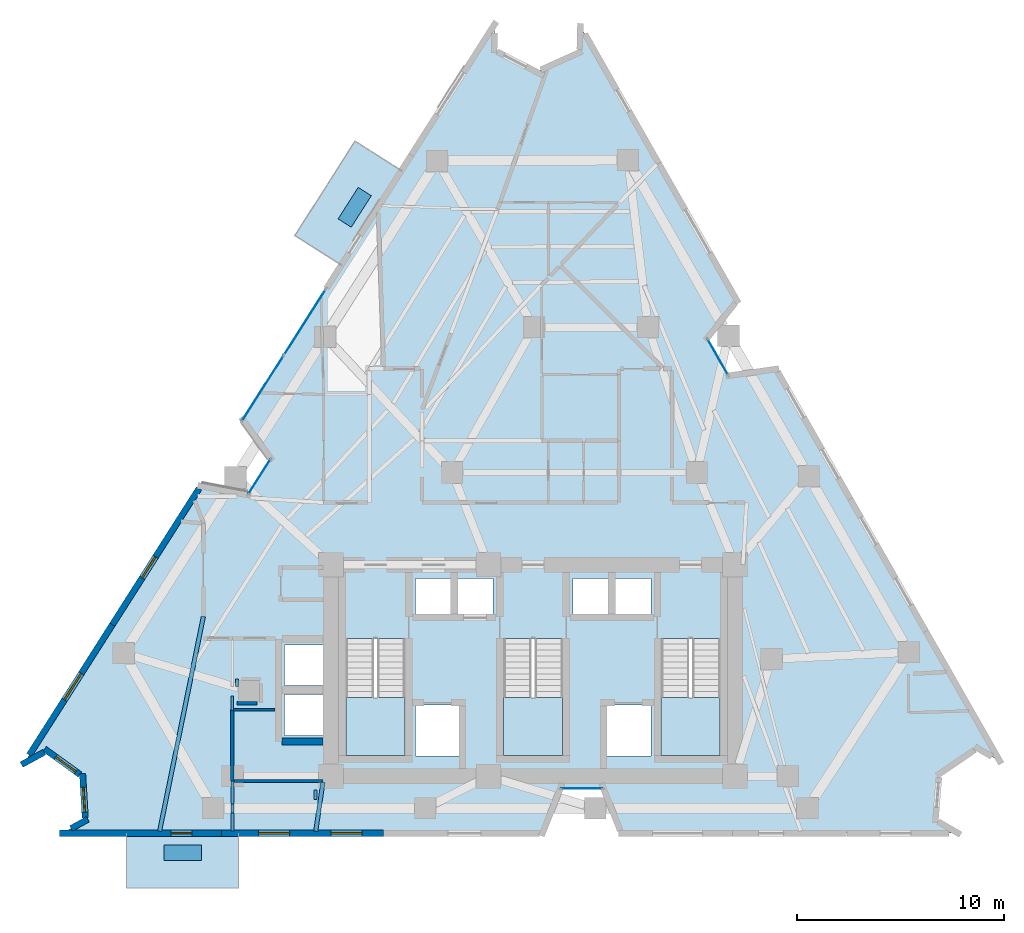
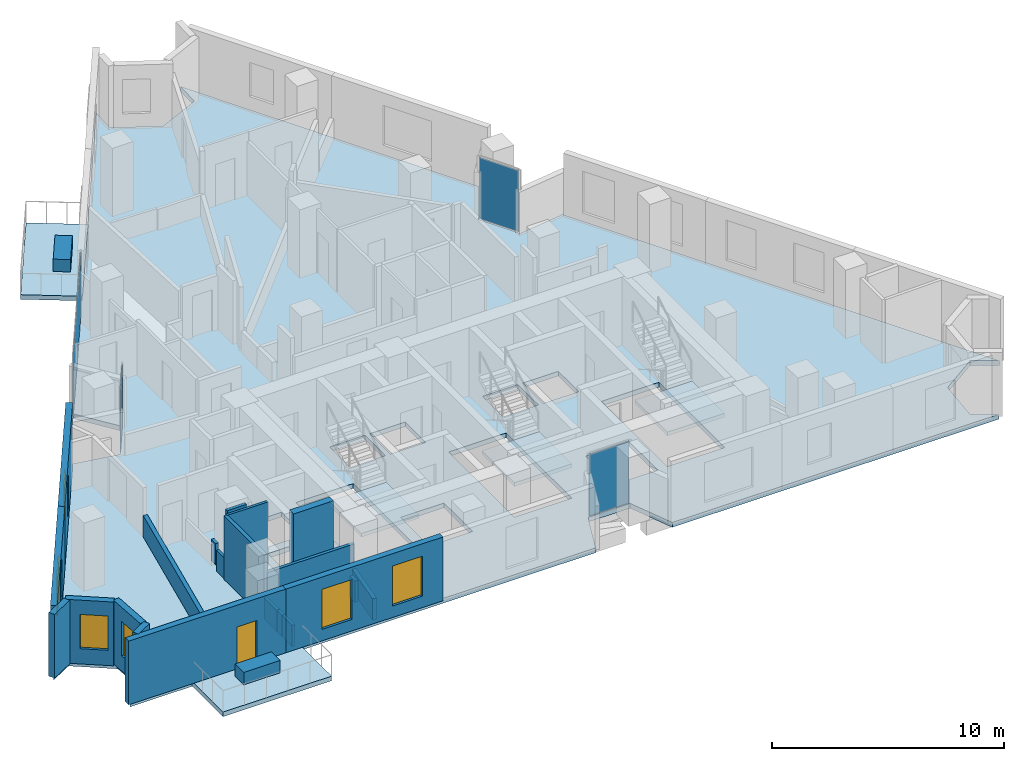
# One storey, part 5 of 11: 21 walls, 7 plates, 6 slabs, 6 windows, 1 door, 7 openings, 7 elements without a shape of their own.
"""IFC4 building model written with IfcOpenShell, lengths in metres."""

from ifc_helpers import new_model, si_unit, direction, frame, frame_2d, origin, origin_2d, place, context, subcontext, project, spatial, polyline, rectangle, outline, extrude, material, layer, layer_set, type_object, element, fill, aggregate, save


model = new_model("IFC4")

# Units and contexts
model_context = context("Model", 3, precision=1e-05, world=origin(), true_north=direction((0.0, 1.0)))
body_context = subcontext(model_context, "Body", "Model", "MODEL_VIEW")
ifc_project = project(units=[si_unit("LENGTHUNIT", "METRE"), si_unit("AREAUNIT", "SQUARE_METRE"), si_unit("VOLUMEUNIT", "CUBIC_METRE"), si_unit("PLANEANGLEUNIT", "RADIAN"), si_unit("MASSUNIT", "GRAM", prefix="KILO")], contexts=[model_context])

# Site, building, storey
site_placement = place(None, origin())
site = spatial("IfcSite", under=ifc_project, at=site_placement, CompositionType="ELEMENT")
building_placement = place(site_placement, origin())
building = spatial("IfcBuilding", under=site, at=building_placement, Name="Almagre Mirador Tower", CompositionType="ELEMENT")
storey_placement = place(building_placement, frame((0.0, 0.0, 150.0)))
storey = spatial("IfcBuildingStorey", under=building, at=storey_placement, Name="L38", CompositionType="ELEMENT", Elevation=150.0)

# Curtain wall, plate
ifc_material_1 = material(Name="Black anodized aluminium", Category="aluminium")
ifc_layer_1 = layer(ifc_material_1, 0.169921875)
ifc_layer_set_1 = layer_set([ifc_layer_1], Name="Black anodized aluminium")
curtain_wall_type_1 = type_object("IfcCurtainWallType", Name="CW-CRS-SYS", PredefinedType="NOTDEFINED", material=ifc_layer_set_1)
curtain_wall_1_placement = place(storey_placement, origin())
curtain_wall_1 = element("IfcCurtainWall", 1, at=curtain_wall_1_placement, inside=storey, type_object=curtain_wall_type_1, Name="L38 vertical crease curtain wall 01", PredefinedType="NOTDEFINED")
ifc_material_2 = material(Name="Dark solar-control laminated hurricane glass", Category="glass")
ifc_layer_2 = layer(ifc_material_2, 0.028076171875)
ifc_layer_set_2 = layer_set([ifc_layer_2], Name="Dark solar-control laminated hurricane glass")
plate_type_1 = type_object("IfcPlateType", Name="PLT-GLZ-28", PredefinedType="CURTAIN_PANEL", material=ifc_layer_set_2)
plate_1_placement = place(storey_placement, frame((24.097412109375, 18.992919921875, 0.06005859375), z_axis=(0.0, 0.0, 1.0), x_axis=(0.537463753664, 0.843286851254, 0.0)))
plate_1 = element("IfcPlate", 2, at=plate_1_placement, type_object=plate_type_1, Name="CW-4 panel 1.1", PredefinedType="CURTAIN_PANEL", context=body_context, shape_type="SweptSolid", body=[
    extrude(rectangle(XDim=1.969482421875, YDim=0.028076171875, at=origin_2d()), origin(), (0.0, 0.0, 1.0), 3.22998046875),
])
aggregate(curtain_wall_1, [plate_1])

curtain_wall_2_placement = place(storey_placement, origin())
curtain_wall_2 = element("IfcCurtainWall", 3, at=curtain_wall_2_placement, inside=storey, type_object=curtain_wall_type_1, Name="L38 vertical crease curtain wall 03", PredefinedType="NOTDEFINED")
plate_2_placement = place(storey_placement, frame((46.214111328125, 24.7705078125, 0.06005859375), z_axis=(0.0, 0.0, 1.0), x_axis=(0.495726635757, -0.868478613785, 0.0)))
plate_2 = element("IfcPlate", 4, at=plate_2_placement, type_object=plate_type_1, Name="CW-4 panel 1.1", PredefinedType="CURTAIN_PANEL", context=body_context, shape_type="SweptSolid", body=[
    extrude(rectangle(XDim=1.969970703125, YDim=0.028076171875, at=origin_2d()), origin(), (0.0, 0.0, 1.0), 3.22998046875),
])
aggregate(curtain_wall_2, [plate_2])

curtain_wall_3_placement = place(storey_placement, origin())
curtain_wall_3 = element("IfcCurtainWall", 5, at=curtain_wall_3_placement, inside=storey, type_object=curtain_wall_type_1, Name="L38 vertical crease curtain wall 04", PredefinedType="NOTDEFINED")
plate_3_placement = place(storey_placement, frame((39.656005859375, 3.949951171875, 0.06005859375), z_axis=(0.0, 0.0, 1.0), x_axis=(-1.0, 0.0, 0.0)))
plate_3 = element("IfcPlate", 6, at=plate_3_placement, type_object=plate_type_1, Name="CW-4 panel 1.1", PredefinedType="CURTAIN_PANEL", context=body_context, shape_type="SweptSolid", body=[
    extrude(rectangle(XDim=1.969970703125, YDim=0.028076171875, at=origin_2d()), origin(), (0.0, 0.0, 1.0), 3.22998046875),
])
aggregate(curtain_wall_3, [plate_3])

# Curtain wall, plates
ifc_material_3 = material(Name="Black anodized aluminium", Category="aluminium")
ifc_layer_3 = layer(ifc_material_3, 0.199951171875)
ifc_layer_set_3 = layer_set([ifc_layer_3], Name="Black anodized aluminium")
curtain_wall_type_2 = type_object("IfcCurtainWallType", Name="CW-RES-H-SYS", PredefinedType="NOTDEFINED", material=ifc_layer_set_3)
curtain_wall_4_placement = place(storey_placement, origin())
curtain_wall_4 = element("IfcCurtainWall", 7, at=curtain_wall_4_placement, inside=storey, type_object=curtain_wall_type_2, Name="L38 curtain wall run 02", PredefinedType="NOTDEFINED")
ifc_material_4 = material(Name="Dark solar-control laminated hurricane glass", Category="glass")
ifc_layer_4 = layer(ifc_material_4, 0.035888671875)
ifc_layer_set_4 = layer_set([ifc_layer_4], Name="Dark solar-control laminated hurricane glass")
plate_type_2 = type_object("IfcPlateType", Name="PLT-GLZ-36", PredefinedType="CURTAIN_PANEL", material=ifc_layer_set_4)
plate_4_placement = place(storey_placement, frame((24.26220703125, 23.2548828125, 0.06494140625), z_axis=(0.0, 0.0, 1.0), x_axis=(0.537115414157, 0.84350876218, 0.0)))
plate_4 = element("IfcPlate", 8, at=plate_4_placement, type_object=plate_type_2, Name="CW-3 panel 1.1", PredefinedType="CURTAIN_PANEL", context=body_context, shape_type="SweptSolid", body=[
    extrude(rectangle(XDim=3.71826171875, YDim=0.035888671875, at=origin_2d()), origin(), (0.0, 0.0, 1.0), 3.219970703125),
])
plate_5_placement = place(storey_placement, frame((26.29443359375, 26.4462890625, 0.06494140625), z_axis=(0.0, 0.0, 1.0), x_axis=(0.537115414157, 0.84350876218, 0.0)))
plate_5 = element("IfcPlate", 9, at=plate_5_placement, type_object=plate_type_2, Name="CW-3 panel 2.1", PredefinedType="CURTAIN_PANEL", context=body_context, shape_type="SweptSolid", body=[
    extrude(rectangle(XDim=3.71826171875, YDim=0.035888671875, at=origin_2d()), origin(), (0.0, 0.0, 1.0), 3.219970703125),
])
aggregate(curtain_wall_4, [plate_4, plate_5])

# Plates
ifc_material_5 = material(Name="Precast concrete C50/60", Category="concrete")
ifc_layer_5 = layer(ifc_material_5, 0.64990234375)
ifc_layer_set_5 = layer_set([ifc_layer_5], Name="Precast concrete C50/60")
plate_type_3 = type_object("IfcPlateType", Name="PLT-PLANTER-1800", PredefinedType="USERDEFINED", material=ifc_layer_set_5)
for number, where, z_axis, x_axis, name in (
    (10, (20.39990234375, 0.85009765625, 0.0), (0.0, 0.0, 1.0), (1.0, 0.0, 0.0), "L38 south balcony structural tree planter 1"),
    (11, (28.698974609375, 31.989990234375, 0.0), (0.0, 0.0, 1.0), (-0.537137678912, -0.843494584389, 0.0), "L38 west balcony structural tree planter 2"),
):
    element("IfcPlate", number, at=place(storey_placement, frame(where, z_axis=z_axis, x_axis=x_axis)), inside=storey, type_object=plate_type_3, Name=name, ObjectType="PLANTER", PredefinedType="USERDEFINED", context=body_context, shape_type="SweptSolid", body=[
        extrude(rectangle(XDim=1.800048828125, YDim=0.75, at=origin_2d()), origin(), (0.0, 0.0, 1.0), 0.64990234375),
    ])

# Slabs
ifc_material_6 = material(Name="Concrete C45/55", Category="concrete")
ifc_layer_6 = layer(ifc_material_6, 0.239990234375)
ifc_layer_set_6 = layer_set([ifc_layer_6], Name="Concrete C45/55")
slab_type_1 = type_object("IfcSlabType", Name="SLB-BAL-240", PredefinedType="USERDEFINED", material=ifc_layer_set_6)
slab_1_placement = place(storey_placement, frame((0.0, 0.0, -0.239990234375)))
element("IfcSlab", 12, at=slab_1_placement, inside=storey, type_object=slab_type_1, Name="L38 south planted tree balcony 1", ObjectType="BALCONY", PredefinedType="USERDEFINED", context=body_context, shape_type="SweptSolid", body=[
    extrude(outline(polyline([(17.699951171875, 1.820068359375), (23.10009765625, 1.820068359375), (23.10009765625, -0.85009765625), (17.699951171875, -0.85009765625), (17.699951171875, 1.820068359375)])), origin(), (0.0, 0.0, 1.0), 0.239990234375),
])
slab_2_placement = place(storey_placement, frame((0.0, 0.0, -0.239990234375)))
element("IfcSlab", 13, at=slab_2_placement, inside=storey, type_object=slab_type_1, Name="L38 west planted tree balcony 2", ObjectType="BALCONY", PredefinedType="USERDEFINED", context=body_context, shape_type="SweptSolid", body=[
    extrude(outline(polyline([(30.967041015625, 33.74609375), (28.06689453125, 29.19189453125), (25.81396484375, 30.6259765625), (28.715087890625, 35.180908203125), (30.967041015625, 33.74609375)])), origin(), (0.0, 0.0, 1.0), 0.239990234375),
])
ifc_material_7 = material(Name="Concrete C45/55", Category="concrete")
ifc_layer_7 = layer(ifc_material_7, 0.25)
ifc_layer_set_7 = layer_set([ifc_layer_7], Name="Concrete C45/55")
slab_type_2 = type_object("IfcSlabType", Name="SLB-FLR-250", PredefinedType="FLOOR", material=ifc_layer_set_7)
slab_3_placement = place(storey_placement, frame((0.0, 0.0, -0.25)))
element("IfcSlab", 14, at=slab_3_placement, inside=storey, type_object=slab_type_2, Name="L38 structural floor slab", PredefinedType="FLOOR", context=body_context, shape_type="SweptSolid", body=[
    extrude(outline(polyline([(12.7490234375, 5.174072265625), (13.85302734375, 5.780029296875), (15.580078125, 4.532958984375), (15.705078125, 2.406005859375), (14.60009765625, 1.800048828125), (37.756103515625, 1.800048828125), (38.611083984375, 3.949951171875), (40.700927734375, 3.949951171875), (41.555908203125, 1.800048828125), (57.800048828125, 1.800048828125), (56.7099609375, 2.43310546875), (56.887939453125, 4.652099609375), (58.72802734375, 5.906982421875), (59.81689453125, 5.27392578125), (49.02294921875, 24.18603515625), (46.73193359375, 23.863037109375), (45.696044921875, 25.677978515625), (47.138916015625, 27.486083984375), (39.5830078125, 40.72607421875), (39.552001953125, 39.466064453125), (37.462890625, 38.52197265625), (35.4208984375, 39.56591796875), (35.450927734375, 40.825927734375), (23.303955078125, 21.75), (24.658935546875, 19.8740234375), (23.535888671875, 18.112060546875), (21.262939453125, 18.544921875), (12.7490234375, 5.174072265625)]), holes=[polyline([(43.47509765625, 5.550048828125), (43.47509765625, 11.196044921875), (46.324951171875, 11.196044921875), (46.324951171875, 5.550048828125), (43.47509765625, 5.550048828125)]), polyline([(40.820068359375, 5.52001953125), (40.820068359375, 7.97998046875), (42.97998046875, 7.97998046875), (42.97998046875, 5.52001953125), (40.820068359375, 5.52001953125)]), polyline([(41.219970703125, 12.320068359375), (41.219970703125, 14.080078125), (42.97998046875, 14.080078125), (42.97998046875, 12.320068359375), (41.219970703125, 12.320068359375)]), polyline([(39.219970703125, 12.320068359375), (39.219970703125, 14.080078125), (40.97998046875, 14.080078125), (40.97998046875, 12.320068359375), (39.219970703125, 12.320068359375)]), polyline([(35.875, 11.196044921875), (38.72509765625, 11.196044921875), (38.72509765625, 5.550048828125), (35.875, 5.550048828125), (35.875, 11.196044921875)]), polyline([(35.3798828125, 12.320068359375), (33.6201171875, 12.320068359375), (33.6201171875, 14.080078125), (35.3798828125, 14.080078125), (35.3798828125, 12.320068359375)]), polyline([(33.780029296875, 5.52001953125), (31.6201171875, 5.52001953125), (31.6201171875, 7.97998046875), (33.780029296875, 7.97998046875), (33.780029296875, 5.52001953125)]), polyline([(31.6201171875, 12.320068359375), (31.6201171875, 14.080078125), (33.3798828125, 14.080078125), (33.3798828125, 12.320068359375), (31.6201171875, 12.320068359375)]), polyline([(28.27490234375, 5.550048828125), (28.27490234375, 11.196044921875), (31.125, 11.196044921875), (31.125, 5.550048828125), (28.27490234375, 5.550048828125)]), polyline([(25.320068359375, 8.919921875), (25.320068359375, 10.8798828125), (27.3798828125, 10.8798828125), (27.3798828125, 8.919921875), (25.320068359375, 8.919921875)]), polyline([(27.3798828125, 6.52001953125), (25.320068359375, 6.52001953125), (25.320068359375, 8.47998046875), (27.3798828125, 8.47998046875), (27.3798828125, 6.52001953125)])]), origin(), (0.0, 0.0, 1.0), 0.25),
])

# Stair, slab
ifc_material_8 = material(Name="Concrete C45/55", Category="concrete")
stair_type = type_object("IfcStairType", Name="STR-DL-3600", PredefinedType="HALF_TURN_STAIR", material=ifc_material_8)
stair_1_placement = place(storey_placement, origin())
stair_1 = element("IfcStair", 15, at=stair_1_placement, inside=storey, type_object=stair_type, Name="L38 Protected exit stair ST-1", PredefinedType="HALF_TURN_STAIR")
ifc_material_9 = material(Name="Concrete C45/55", Category="concrete")
ifc_layer_8 = layer(ifc_material_9, 0.199951171875)
ifc_layer_set_8 = layer_set([ifc_layer_8], Name="Concrete C45/55")
slab_type_3 = type_object("IfcSlabType", Name="SLB-LND-200", PredefinedType="LANDING", material=ifc_layer_set_8)
slab_4_placement = place(storey_placement, frame((0.0, 0.0, 1.60009765625)))
slab_4 = element("IfcSlab", 16, at=slab_4_placement, type_object=slab_type_3, Name="ST-1 landing 1", PredefinedType="LANDING", context=body_context, shape_type="SweptSolid", body=[
    extrude(outline(polyline([(28.27490234375, 8.35009765625), (28.27490234375, 5.550048828125), (31.125, 5.550048828125), (31.125, 8.35009765625), (28.27490234375, 8.35009765625)])), origin(), (0.0, 0.0, 1.0), 0.199951171875),
])
aggregate(stair_1, [slab_4])

stair_2_placement = place(storey_placement, origin())
stair_2 = element("IfcStair", 17, at=stair_2_placement, inside=storey, type_object=stair_type, Name="L38 Protected exit stair ST-2", PredefinedType="HALF_TURN_STAIR")
slab_5_placement = place(storey_placement, frame((0.0, 0.0, 1.60009765625)))
slab_5 = element("IfcSlab", 18, at=slab_5_placement, type_object=slab_type_3, Name="ST-2 landing 1", PredefinedType="LANDING", context=body_context, shape_type="SweptSolid", body=[
    extrude(outline(polyline([(35.875, 8.35009765625), (35.875, 5.550048828125), (38.72509765625, 5.550048828125), (38.72509765625, 8.35009765625), (35.875, 8.35009765625)])), origin(), (0.0, 0.0, 1.0), 0.199951171875),
])
aggregate(stair_2, [slab_5])

stair_3_placement = place(storey_placement, origin())
stair_3 = element("IfcStair", 19, at=stair_3_placement, inside=storey, type_object=stair_type, Name="L38 Protected exit stair ST-3", PredefinedType="HALF_TURN_STAIR")
slab_6_placement = place(storey_placement, frame((0.0, 0.0, 1.60009765625)))
slab_6 = element("IfcSlab", 20, at=slab_6_placement, type_object=slab_type_3, Name="ST-3 landing 1", PredefinedType="LANDING", context=body_context, shape_type="SweptSolid", body=[
    extrude(outline(polyline([(43.47509765625, 8.35009765625), (43.47509765625, 5.550048828125), (46.324951171875, 5.550048828125), (46.324951171875, 8.35009765625), (43.47509765625, 8.35009765625)])), origin(), (0.0, 0.0, 1.0), 0.199951171875),
])
aggregate(stair_3, [slab_6])

# Wall, openings, windows
ifc_material_10 = material(Name="Precast concrete C50/60", Category="concrete")
ifc_layer_9 = layer(ifc_material_10, 0.300048828125)
ifc_layer_set_9 = layer_set([ifc_layer_9], Name="Precast concrete C50/60")
wall_type_1 = type_object("IfcWallType", Name="WAL-EXT-300", PredefinedType="SOLIDWALL", material=ifc_layer_set_9)
wall_1_placement = place(storey_placement, frame((30.083984375, 1.800048828125, 0.0), z_axis=(0.0, 0.0, 1.0), x_axis=(-1.0, 0.0, 0.0)))
wall_1 = element("IfcWall", 21, at=wall_1_placement, inside=storey, type_object=wall_type_1, Name="L38 expressed almagre precast frame wall 26", PredefinedType="SOLIDWALL", context=body_context, shape_type="SweptSolid", body=[
    extrude(rectangle(XDim=7.81201171875, YDim=0.300048828125, at=frame_2d((3.906005859375, 0.0))), origin(), (0.0, 0.0, 1.0), 3.35009765625),
])
opening_1_placement = place(wall_1_placement, frame((4.52490234375, 0.0, 0.60009765625)))
opening_1 = element("IfcOpeningElement", 22, at=opening_1_placement, cuts=wall_1, Name="Opening WN-03", PredefinedType="OPENING", context=body_context, shape_type="SweptSolid", body=[
    extrude(rectangle(XDim=1.5, YDim=2.10009765625, at=frame_2d((0.75, 1.050048828125))), frame((0.0, 0.159902, 0.0), z_axis=(0.0, -1.0, 0.0), x_axis=(1.0, 0.0, 0.0)), (0.0, 0.0, 1.0), 0.320049),
])
opening_2_placement = place(wall_1_placement, frame((1.02490234375, 0.0, 0.60009765625)))
opening_2 = element("IfcOpeningElement", 23, at=opening_2_placement, cuts=wall_1, Name="Opening WN-03", PredefinedType="OPENING", context=body_context, shape_type="SweptSolid", body=[
    extrude(rectangle(XDim=1.5, YDim=2.10009765625, at=frame_2d((0.75, 1.050048828125))), frame((0.0, 0.159902, 0.0), z_axis=(0.0, -1.0, 0.0), x_axis=(1.0, 0.0, 0.0)), (0.0, 0.0, 1.0), 0.320049),
])
ifc_material_11 = material(Name="Dark solar-control laminated hurricane glass", Category="glass")
window_type_1 = type_object("IfcWindowType", Name="WIN-1500X2100", PartitioningType="DOUBLE_PANEL_VERTICAL", PredefinedType="WINDOW", material=ifc_material_11)
window_1_placement = place(opening_1_placement, origin())
window_1 = element("IfcWindow", 24, at=window_1_placement, inside=storey, type_object=window_type_1, Name="L38 recessed hurricane window L38-UB-HB", OverallHeight=2.10009765625, OverallWidth=1.5, PartitioningType="SINGLE_PANEL", PredefinedType="WINDOW", context=body_context, shape_type="SweptSolid", body=[
    extrude(rectangle(XDim=1.5, YDim=2.10009765625, at=frame_2d((0.75, 1.050048828125))), frame((0.0, 0.030029296875, 0.0), z_axis=(0.0, -1.0, 0.0), x_axis=(1.0, 0.0, 0.0)), (0.0, 0.0, 1.0), 0.06005859375),
])
fill(opening_1, window_1)
window_2_placement = place(opening_2_placement, origin())
window_2 = element("IfcWindow", 25, at=window_2_placement, inside=storey, type_object=window_type_1, Name="L38 recessed hurricane window L38-RST-C", OverallHeight=2.10009765625, OverallWidth=1.5, PartitioningType="SINGLE_PANEL", PredefinedType="WINDOW", context=body_context, shape_type="SweptSolid", body=[
    extrude(rectangle(XDim=1.5, YDim=2.10009765625, at=frame_2d((0.75, 1.050048828125))), frame((0.0, 0.030029296875, 0.0), z_axis=(0.0, -1.0, 0.0), x_axis=(1.0, 0.0, 0.0)), (0.0, 0.0, 1.0), 0.06005859375),
])
fill(opening_2, window_2)

# Wall, opening, door
wall_2_placement = place(storey_placement, frame((22.27197265625, 1.800048828125, 0.0), z_axis=(0.0, 0.0, 1.0), x_axis=(-1.0, 0.0, 0.0)))
wall_2 = element("IfcWall", 26, at=wall_2_placement, inside=storey, type_object=wall_type_1, Name="L38 expressed almagre precast frame wall 27", PredefinedType="SOLIDWALL", context=body_context, shape_type="SweptSolid", body=[
    extrude(rectangle(XDim=7.81201171875, YDim=0.300048828125, at=frame_2d((3.906005859375, 0.0))), origin(), (0.0, 0.0, 1.0), 3.35009765625),
])
opening_3_placement = place(wall_2_placement, frame((1.43359375, 0.0, 0.0)))
opening_3 = element("IfcOpeningElement", 27, at=opening_3_placement, cuts=wall_2, Name="Opening BD-01", PredefinedType="OPENING", context=body_context, shape_type="SweptSolid", body=[
    extrude(rectangle(XDim=1.0, YDim=2.199951171875, at=frame_2d((0.5, 1.10009765625))), frame((0.0, 0.159902, 0.0), z_axis=(0.0, -1.0, 0.0), x_axis=(1.0, 0.0, 0.0)), (0.0, 0.0, 1.0), 0.320049),
])
ifc_material_12 = material(Name="Black anodized aluminium and laminated glass", Category="aluminium")
door_type = type_object("IfcDoorType", Name="DOR-BAL-1000X2200", OperationType="NOTDEFINED", PredefinedType="DOOR", material=ifc_material_12)
door_placement = place(opening_3_placement, origin())
door = element("IfcDoor", 28, at=door_placement, inside=storey, type_object=door_type, Name="DR-1226 L38 south balcony glazed door 1", OperationType="SINGLE_SWING_RIGHT", OverallHeight=2.199951171875, OverallWidth=1.0, PredefinedType="DOOR", context=body_context, shape_type="SweptSolid", body=[
    extrude(rectangle(XDim=1.0, YDim=2.199951171875, at=frame_2d((0.5, 1.10009765625))), frame((0.0, 0.02490234375, 0.0), z_axis=(0.0, -1.0, 0.0), x_axis=(1.0, 0.0, 0.0)), (0.0, 0.0, 1.0), 0.050048828125),
])
fill(opening_3, door)

# Wall
wall_3_placement = place(storey_placement, frame((15.016357421875, 2.0283203125, 0.0), z_axis=(0.0, 0.0, 1.0), x_axis=(0.876794471231, 0.48086531921, 0.0)))
element("IfcWall", 29, at=wall_3_placement, inside=storey, type_object=wall_type_1, Name="L38 expressed almagre precast frame wall 28", PredefinedType="SOLIDWALL", context=body_context, shape_type="SweptSolid", body=[
    extrude(rectangle(XDim=0.925537109375, YDim=0.300048828125, at=frame_2d((0.462890625, 0.0))), origin(), (0.0, 0.0, 1.0), 3.35009765625),
])

# Wall, opening, window
wall_4_placement = place(storey_placement, frame((15.696533203125, 2.55078125, 0.0), z_axis=(0.0, 0.0, 1.0), x_axis=(-0.058688358982, 0.99827635278, 0.0)))
wall_4 = element("IfcWall", 30, at=wall_4_placement, inside=storey, type_object=wall_type_1, Name="L38 expressed almagre precast frame wall 29", PredefinedType="SOLIDWALL", context=body_context, shape_type="SweptSolid", body=[
    extrude(rectangle(XDim=2.125732421875, YDim=0.300048828125, at=frame_2d((1.06298828125, 0.0))), origin(), (0.0, 0.0, 1.0), 3.35009765625),
])
opening_4_placement = place(wall_4_placement, frame((0.264892578125, 0.0, 0.800048828125)))
opening_4 = element("IfcOpeningElement", 31, at=opening_4_placement, cuts=wall_4, Name="Opening WN-04", PredefinedType="OPENING", context=body_context, shape_type="SweptSolid", body=[
    extrude(rectangle(XDim=1.199951171875, YDim=1.800048828125, at=frame_2d((0.60009765625, 0.89990234375))), frame((0.0, 0.159902, 0.0), z_axis=(0.0, -1.0, 0.0), x_axis=(1.0, 0.0, 0.0)), (0.0, 0.0, 1.0), 0.320049),
])
ifc_material_13 = material(Name="Dark solar-control laminated hurricane glass", Category="glass")
window_type_2 = type_object("IfcWindowType", Name="WIN-1200X1800", PartitioningType="SINGLE_PANEL", PredefinedType="WINDOW", material=ifc_material_13)
window_3_placement = place(opening_4_placement, origin())
window_3 = element("IfcWindow", 32, at=window_3_placement, inside=storey, type_object=window_type_2, Name="L38 recessed hurricane window L38-RST-A", OverallHeight=1.800048828125, OverallWidth=1.199951171875, PartitioningType="SINGLE_PANEL", PredefinedType="WINDOW", context=body_context, shape_type="SweptSolid", body=[
    extrude(rectangle(XDim=1.199951171875, YDim=1.800048828125, at=frame_2d((0.60009765625, 0.89990234375))), frame((0.0, 0.030029296875, 0.0), z_axis=(0.0, -1.0, 0.0), x_axis=(1.0, 0.0, 0.0)), (0.0, 0.0, 1.0), 0.06005859375),
])
fill(opening_4, window_3)

wall_5_placement = place(storey_placement, frame((15.4501953125, 4.626708984375, 0.0), z_axis=(0.0, 0.0, 1.0), x_axis=(-0.810712787228, 0.585444084969, 0.0)))
wall_5 = element("IfcWall", 33, at=wall_5_placement, inside=storey, type_object=wall_type_1, Name="L38 expressed almagre precast frame wall 30", PredefinedType="SOLIDWALL", context=body_context, shape_type="SweptSolid", body=[
    extrude(rectangle(XDim=2.110107421875, YDim=0.300048828125, at=frame_2d((1.05517578125, 0.0))), origin(), (0.0, 0.0, 1.0), 3.35009765625),
])
opening_5_placement = place(wall_5_placement, frame((0.25, 0.0, 0.800048828125)))
opening_5 = element("IfcOpeningElement", 34, at=opening_5_placement, cuts=wall_5, Name="Opening WN-04", PredefinedType="OPENING", context=body_context, shape_type="SweptSolid", body=[
    extrude(rectangle(XDim=1.199951171875, YDim=1.800048828125, at=frame_2d((0.60009765625, 0.89990234375))), frame((0.0, 0.159902, 0.0), z_axis=(0.0, -1.0, 0.0), x_axis=(1.0, 0.0, 0.0)), (0.0, 0.0, 1.0), 0.320049),
])
window_4_placement = place(opening_5_placement, origin())
window_4 = element("IfcWindow", 35, at=window_4_placement, inside=storey, type_object=window_type_2, Name="L38 recessed hurricane window L38-RST-A", OverallHeight=1.800048828125, OverallWidth=1.199951171875, PartitioningType="SINGLE_PANEL", PredefinedType="WINDOW", context=body_context, shape_type="SweptSolid", body=[
    extrude(rectangle(XDim=1.199951171875, YDim=1.800048828125, at=frame_2d((0.60009765625, 0.89990234375))), frame((0.0, 0.030029296875, 0.0), z_axis=(0.0, -1.0, 0.0), x_axis=(1.0, 0.0, 0.0)), (0.0, 0.0, 1.0), 0.06005859375),
])
fill(opening_5, window_4)

# Wall
wall_6_placement = place(storey_placement, frame((13.725830078125, 5.710205078125, 0.0), z_axis=(0.0, 0.0, 1.0), x_axis=(-0.876642942611, -0.481141508467, 0.0)))
element("IfcWall", 36, at=wall_6_placement, inside=storey, type_object=wall_type_1, Name="L38 expressed almagre precast frame wall 31", PredefinedType="SOLIDWALL", context=body_context, shape_type="SweptSolid", body=[
    extrude(rectangle(XDim=1.25439453125, YDim=0.300048828125, at=frame_2d((0.627197265625, 0.0))), origin(), (0.0, 0.0, 1.0), 3.35009765625),
])

# Wall, opening, window
wall_7_placement = place(storey_placement, frame((13.004150390625, 5.57470703125, 0.0), z_axis=(0.0, 0.0, 1.0), x_axis=(0.5371108129, 0.843511692074, 0.0)))
wall_7 = element("IfcWall", 37, at=wall_7_placement, inside=storey, type_object=wall_type_1, Name="L38 expressed almagre precast frame wall 32", PredefinedType="SOLIDWALL", context=body_context, shape_type="SweptSolid", body=[
    extrude(rectangle(XDim=7.450927734375, YDim=0.300048828125, at=frame_2d((3.7255859375, 0.0))), origin(), (0.0, 0.0, 1.0), 3.35009765625),
])
opening_6_placement = place(wall_7_placement, frame((3.159912109375, 0.0, 0.60009765625)))
opening_6 = element("IfcOpeningElement", 38, at=opening_6_placement, cuts=wall_7, Name="Opening WN-03", PredefinedType="OPENING", context=body_context, shape_type="SweptSolid", body=[
    extrude(rectangle(XDim=1.5, YDim=2.10009765625, at=frame_2d((0.75, 1.050048828125))), frame((0.0, 0.159902, 0.0), z_axis=(0.0, -1.0, 0.0), x_axis=(1.0, 0.0, 0.0)), (0.0, 0.0, 1.0), 0.320049),
])
window_5_placement = place(opening_6_placement, origin())
window_5 = element("IfcWindow", 39, at=window_5_placement, inside=storey, type_object=window_type_1, Name="L38 recessed hurricane window L38-RST-A", OverallHeight=2.10009765625, OverallWidth=1.5, PartitioningType="SINGLE_PANEL", PredefinedType="WINDOW", context=body_context, shape_type="SweptSolid", body=[
    extrude(rectangle(XDim=1.5, YDim=2.10009765625, at=frame_2d((0.75, 1.050048828125))), frame((0.0, 0.030029296875, 0.0), z_axis=(0.0, -1.0, 0.0), x_axis=(1.0, 0.0, 0.0)), (0.0, 0.0, 1.0), 0.06005859375),
])
fill(opening_6, window_5)

wall_8_placement = place(storey_placement, frame((17.006103515625, 11.859619140625, 0.0), z_axis=(0.0, 0.0, 1.0), x_axis=(0.537098524817, 0.843519516454, 0.0)))
wall_8 = element("IfcWall", 40, at=wall_8_placement, inside=storey, type_object=wall_type_1, Name="L38 expressed almagre precast frame wall 33", PredefinedType="SOLIDWALL", context=body_context, shape_type="SweptSolid", body=[
    extrude(rectangle(XDim=7.79052734375, YDim=0.300048828125, at=frame_2d((3.895263671875, 0.0))), origin(), (0.0, 0.0, 1.0), 3.35009765625),
])
opening_7_placement = place(wall_8_placement, frame((2.675048828125, 0.0, 0.800048828125)))
opening_7 = element("IfcOpeningElement", 41, at=opening_7_placement, cuts=wall_8, Name="Opening WN-04", PredefinedType="OPENING", context=body_context, shape_type="SweptSolid", body=[
    extrude(rectangle(XDim=1.199951171875, YDim=1.800048828125, at=frame_2d((0.60009765625, 0.89990234375))), frame((0.0, 0.159902, 0.0), z_axis=(0.0, -1.0, 0.0), x_axis=(1.0, 0.0, 0.0)), (0.0, 0.0, 1.0), 0.320049),
])
window_6_placement = place(opening_7_placement, origin())
window_6 = element("IfcWindow", 42, at=window_6_placement, inside=storey, type_object=window_type_2, Name="L38 recessed hurricane window L38-RST-A", OverallHeight=1.800048828125, OverallWidth=1.199951171875, PartitioningType="SINGLE_PANEL", PredefinedType="WINDOW", context=body_context, shape_type="SweptSolid", body=[
    extrude(rectangle(XDim=1.199951171875, YDim=1.800048828125, at=frame_2d((0.60009765625, 0.89990234375))), frame((0.0, 0.030029296875, 0.0), z_axis=(0.0, -1.0, 0.0), x_axis=(1.0, 0.0, 0.0)), (0.0, 0.0, 1.0), 0.06005859375),
])
fill(opening_7, window_6)

# Walls
ifc_material_14 = material(Name="Gypsum acoustic stud partition", Category="other")
ifc_layer_10 = layer(ifc_material_14, 0.125)
ifc_layer_set_10 = layer_set([ifc_layer_10], Name="Gypsum acoustic stud partition")
wall_type_2 = type_object("IfcWallType", Name="WAL-PRT-125-UTL", PredefinedType="PARTITIONING", material=ifc_layer_set_10)
wall_9_placement = place(storey_placement, frame((22.800048828125, 7.719970703125, 0.0), z_axis=(0.0, 0.0, 1.0), x_axis=(0.0, 1.0, 0.0)))
element("IfcWall", 43, at=wall_9_placement, inside=storey, type_object=wall_type_2, Name="L38 interior partition 034", PredefinedType="PARTITIONING", context=body_context, shape_type="SweptSolid", body=[
    extrude(rectangle(XDim=0.7099609375, YDim=0.125, at=frame_2d((0.35498046875, 0.0))), origin(), (0.0, 0.0, 1.0), 1.1201171875),
])
wall_10_placement = place(storey_placement, frame((22.847412109375, 7.760009765625, 0.0), z_axis=(0.0, 0.0, 1.0), x_axis=(1.0, 0.0, 0.0)))
element("IfcWall", 44, at=wall_10_placement, inside=storey, type_object=wall_type_2, Name="L38 interior partition 039", PredefinedType="PARTITIONING", context=body_context, shape_type="SweptSolid", body=[
    extrude(rectangle(XDim=2.017578125, YDim=0.125, at=frame_2d((1.0087890625, 0.0))), origin(), (0.0, 0.0, 1.0), 3.35009765625),
])
ifc_material_15 = material(Name="Gypsum acoustic stud partition", Category="other")
ifc_layer_11 = layer(ifc_material_15, 0.14990234375)
ifc_layer_set_11 = layer_set([ifc_layer_11], Name="Gypsum acoustic stud partition")
wall_type_3 = type_object("IfcWallType", Name="WAL-PRT-150-STD", PredefinedType="PARTITIONING", material=ifc_layer_set_11)
wall_11_placement = place(storey_placement, frame((22.800048828125, 1.89990234375, 0.0), z_axis=(0.0, 0.0, 1.0), x_axis=(0.0, 1.0, 0.0)))
element("IfcWall", 45, at=wall_11_placement, inside=storey, type_object=wall_type_3, Name="L38 interior partition 032", PredefinedType="PARTITIONING", context=body_context, shape_type="SweptSolid", body=[
    extrude(rectangle(XDim=0.880126953125, YDim=0.14990234375, at=frame_2d((0.43994140625, 0.0))), origin(), (0.0, 0.0, 1.0), 1.1201171875),
])
wall_12_placement = place(storey_placement, frame((22.800048828125, 3.219970703125, 0.0), z_axis=(0.0, 0.0, 1.0), x_axis=(0.0, 1.0, 0.0)))
element("IfcWall", 46, at=wall_12_placement, inside=storey, type_object=wall_type_3, Name="L38 interior partition 033", PredefinedType="PARTITIONING", context=body_context, shape_type="SweptSolid", body=[
    extrude(rectangle(XDim=1.10009765625, YDim=0.14990234375, at=frame_2d((0.550048828125, 0.0))), origin(), (0.0, 0.0, 1.0), 1.1201171875),
])
wall_13_placement = place(storey_placement, frame((27.175048828125, 4.320068359375, 0.0), z_axis=(0.0, 0.0, 1.0), x_axis=(-1.0, 0.0, 0.0)))
element("IfcWall", 47, at=wall_13_placement, inside=storey, type_object=wall_type_3, Name="L38 interior partition 037", PredefinedType="PARTITIONING", context=body_context, shape_type="SweptSolid", body=[
    extrude(rectangle(XDim=4.31494140625, YDim=0.14990234375, at=frame_2d((2.157470703125, 0.0))), origin(), (0.0, 0.0, 1.0), 2.43603515625),
])
wall_14_placement = place(storey_placement, frame((22.800048828125, 3.219970703125, 0.0), z_axis=(0.0, 0.0, 1.0), x_axis=(0.0, -1.0, 0.0)))
element("IfcWall", 48, at=wall_14_placement, inside=storey, type_object=wall_type_3, Name="L38 interior partition 087", PredefinedType="PARTITIONING", context=body_context, shape_type="SweptSolid", body=[
    extrude(rectangle(XDim=0.43994140625, YDim=0.14990234375, at=frame_2d((0.219970703125, 0.0))), origin(), (0.0, 0.0, 1.0), 1.1201171875),
])
wall_15_placement = place(storey_placement, frame((26.800048828125, 3.430908203125, 0.0), z_axis=(0.0, 0.0, 1.0), x_axis=(0.0, 1.0, 0.0)))
element("IfcWall", 49, at=wall_15_placement, inside=storey, type_object=wall_type_3, Name="L38 interior partition 088", PredefinedType="PARTITIONING", context=body_context, shape_type="SweptSolid", body=[
    extrude(rectangle(XDim=0.464111328125, YDim=0.14990234375, at=frame_2d((0.23193359375, 0.0))), origin(), (0.0, 0.0, 1.0), 1.1201171875),
])
wall_16_placement = place(storey_placement, frame((23.02001953125, 8.8701171875, 0.0), z_axis=(0.0, 0.0, 1.0), x_axis=(0.0, 1.0, 0.0)))
element("IfcWall", 50, at=wall_16_placement, inside=storey, type_object=wall_type_3, Name="L38 interior partition 091", PredefinedType="PARTITIONING", context=body_context, shape_type="SweptSolid", body=[
    extrude(rectangle(XDim=0.369873046875, YDim=0.14990234375, at=frame_2d((0.18505859375, 0.0))), origin(), (0.0, 0.0, 1.0), 1.1201171875),
])
wall_17_placement = place(storey_placement, frame((23.97509765625, 8.070068359375, 0.0), z_axis=(0.0, 0.0, 1.0), x_axis=(-1.0, 0.0, 0.0)))
element("IfcWall", 51, at=wall_17_placement, inside=storey, type_object=wall_type_3, Name="L38 interior partition 094", PredefinedType="PARTITIONING", context=body_context, shape_type="SweptSolid", body=[
    extrude(rectangle(XDim=0.955078125, YDim=0.14990234375, at=frame_2d((0.4775390625, 0.0))), origin(), (0.0, 0.0, 1.0), 3.35009765625),
])
ifc_material_16 = material(Name="Gypsum acoustic stud partition", Category="other")
ifc_layer_12 = layer(ifc_material_16, 0.175048828125)
ifc_layer_set_12 = layer_set([ifc_layer_12], Name="Gypsum acoustic stud partition")
wall_type_4 = type_object("IfcWallType", Name="WAL-PRT-175-AC", PredefinedType="PARTITIONING", material=ifc_layer_set_12)
wall_18_placement = place(storey_placement, frame((22.800048828125, 4.320068359375, 0.0), z_axis=(0.0, 0.0, 1.0), x_axis=(0.0, 1.0, 0.0)))
element("IfcWall", 52, at=wall_18_placement, inside=storey, type_object=wall_type_4, Name="L38 interior partition 036", PredefinedType="PARTITIONING", context=body_context, shape_type="SweptSolid", body=[
    extrude(rectangle(XDim=3.43994140625, YDim=0.175048828125, at=frame_2d((1.719970703125, 0.0))), origin(), (0.0, 0.0, 1.0), 3.35009765625),
])
ifc_material_17 = material(Name="Gypsum acoustic stud partition", Category="other")
ifc_layer_13 = layer(ifc_material_17, 0.199951171875)
ifc_layer_set_13 = layer_set([ifc_layer_13], Name="Gypsum acoustic stud partition")
wall_type_5 = type_object("IfcWallType", Name="WAL-PRT-200-EI60", PredefinedType="PARTITIONING", material=ifc_layer_set_13)
wall_19_placement = place(storey_placement, frame((19.287109375, 1.89697265625, 0.0), z_axis=(0.0, 0.0, 1.0), x_axis=(0.19995367442, 0.979805352142, 0.0)))
element("IfcWall", 53, at=wall_19_placement, inside=storey, type_object=wall_type_5, Name="L38 interior partition 030", PredefinedType="PARTITIONING", context=body_context, shape_type="SweptSolid", body=[
    extrude(rectangle(XDim=10.56640625, YDim=0.199951171875, at=frame_2d((5.283203125, 0.0))), origin(), (0.0, 0.0, 1.0), 1.1201171875),
])
wall_20_placement = place(storey_placement, frame((26.820068359375, 1.89794921875, 0.0), z_axis=(0.0, 0.0, 1.0), x_axis=(0.144970066801, 0.989436041254, 0.0)))
element("IfcWall", 54, at=wall_20_placement, inside=storey, type_object=wall_type_5, Name="L38 interior partition 038", PredefinedType="PARTITIONING", context=body_context, shape_type="SweptSolid", body=[
    extrude(rectangle(XDim=2.387939453125, YDim=0.199951171875, at=frame_2d((1.19384765625, 0.0))), origin(), (0.0, 0.0, 1.0), 1.1201171875),
])
ifc_material_18 = material(Name="Concrete C60/75", Category="concrete")
ifc_layer_14 = layer(ifc_material_18, 0.35009765625)
ifc_layer_set_14 = layer_set([ifc_layer_14], Name="Concrete C60/75")
wall_type_6 = type_object("IfcWallType", Name="WAL-SHF-350", PredefinedType="SOLIDWALL", material=ifc_layer_set_14)
wall_21_placement = place(storey_placement, frame((25.199951171875, 6.22509765625, 0.0), z_axis=(0.0, 0.0, 1.0), x_axis=(1.0, 0.0, 0.0)))
element("IfcWall", 55, at=wall_21_placement, inside=storey, type_object=wall_type_6, Name="L38 shaft wall OL-S", PredefinedType="SOLIDWALL", context=body_context, shape_type="SweptSolid", body=[
    extrude(rectangle(XDim=1.97509765625, YDim=0.35009765625, at=frame_2d((0.987548828125, 0.0))), origin(), (0.0, 0.0, 1.0), 3.60009765625),
])

save(model, "model.ifc")
